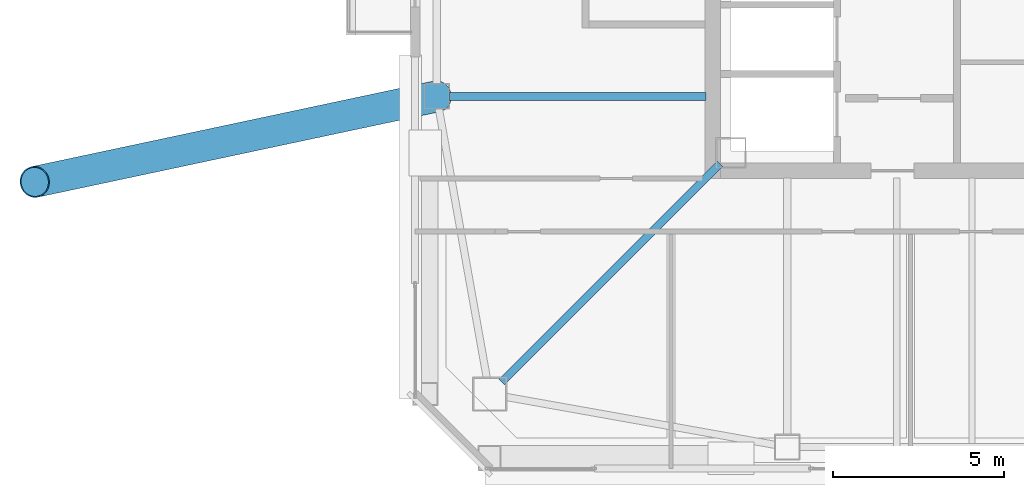
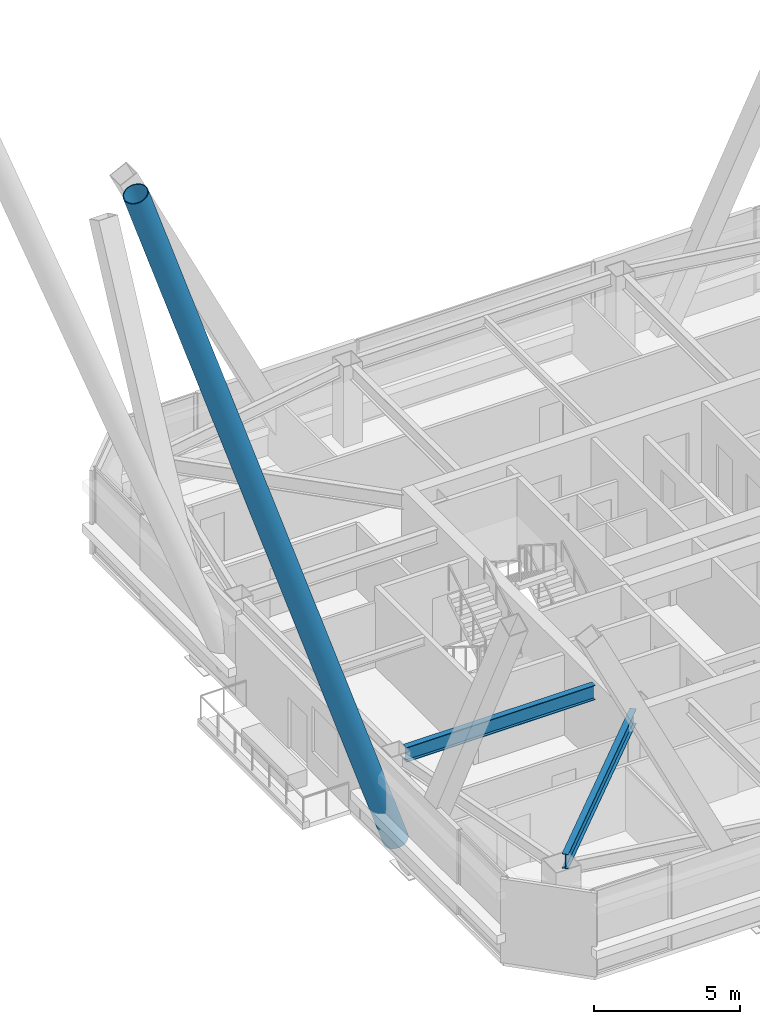
# One storey, part 8 of 56: 2 beams, 1 member.
"""IFC4 building model written with IfcOpenShell, lengths in metres."""

from ifc_helpers import new_model, si_unit, direction, frame, origin, origin_2d, place, context, subcontext, project, spatial, hollow_circle, i_section, extrude, material, material_profile, profile_set, type_object, element, save


model = new_model("IFC4")

# Units and contexts
model_context = context("Model", 3, precision=1e-05, world=origin(), true_north=direction((0.0, 1.0)))
body_context = subcontext(model_context, "Body", "Model", "MODEL_VIEW")
ifc_project = project(units=[si_unit("LENGTHUNIT", "METRE"), si_unit("AREAUNIT", "SQUARE_METRE"), si_unit("VOLUMEUNIT", "CUBIC_METRE"), si_unit("PLANEANGLEUNIT", "RADIAN"), si_unit("MASSUNIT", "GRAM", prefix="KILO")], contexts=[model_context])

# Site, building, storey
site_placement = place(None, origin())
site = spatial("IfcSite", under=ifc_project, at=site_placement, CompositionType="ELEMENT")
building_placement = place(site_placement, origin())
building = spatial("IfcBuilding", under=site, at=building_placement, Name="Tashvorn Skyway Center", CompositionType="ELEMENT")
storey_placement = place(building_placement, frame((0.0, 0.0, 218.39990234375)))
storey = spatial("IfcBuildingStorey", under=building, at=storey_placement, Name="L59", CompositionType="ELEMENT", Elevation=218.39990234375)

# Beams
ifc_material_1 = material(Name="Steel ASTM A992 Grade 50", Category="steel")
ifc_material_profile_1 = material_profile(ifc_material_1, i_section(OverallWidth=0.22998046875, OverallDepth=0.616943359375, WebThickness=0.01318359375, FlangeThickness=0.022216796875, at=origin_2d()), Name="W24X94")
ifc_profile_set_1 = profile_set([ifc_material_profile_1], Name="Steel ASTM A992 Grade 50")
beam_type = type_object("IfcBeamType", Name="BM-BEAM-W24X94", PredefinedType="BEAM", material=ifc_profile_set_1)
beam_1_placement = place(storey_placement, frame((28.25, 18.25, 3.0615234375), z_axis=(0.707106781187, 0.707106781187, 0.0), x_axis=(-0.707106781187, 0.707106781187, 0.0)))
element("IfcBeam", 1, at=beam_1_placement, inside=storey, type_object=beam_type, Name="Tower 1 L59 Primary Floor Girder MC-SW", PredefinedType="BEAM", context=body_context, shape_type="SweptSolid", body=[
    extrude(i_section(OverallWidth=0.22998046875, OverallDepth=0.616943359375, WebThickness=0.01318359375, FlangeThickness=0.022216796875, at=origin_2d()), origin(), (0.0, 0.0, 1.0), 9.030029296875),
])
beam_2_placement = place(storey_placement, frame((26.719970703125, 26.60009765625, 3.0615234375), z_axis=(1.0, 0.0, 0.0), x_axis=(0.0, 1.0, 0.0)))
element("IfcBeam", 2, at=beam_2_placement, inside=storey, type_object=beam_type, Name="Tower 1 L59 Primary Floor Girder FC-W2", PredefinedType="BEAM", context=body_context, shape_type="SweptSolid", body=[
    extrude(i_section(OverallWidth=0.22998046875, OverallDepth=0.616943359375, WebThickness=0.01318359375, FlangeThickness=0.022216796875, at=origin_2d()), origin(), (0.0, 0.0, 1.0), 7.5),
])

# Member
ifc_material_2 = material(Name="Steel ASTM A572 Grade 50", Category="steel")
ifc_material_profile_2 = material_profile(ifc_material_2, hollow_circle(Radius=0.45703125, WallThickness=0.031982421875, at=origin_2d()), Name="CHS914x32")
ifc_profile_set_2 = profile_set([ifc_material_profile_2], Name="Steel ASTM A572 Grade 50")
member_type = type_object("IfcMemberType", Name="MEM-MS-914", PredefinedType="STRUT", material=ifc_profile_set_2)
member_placement = place(storey_placement, frame((26.35009765625, 26.60009765625, -0.3798828125), z_axis=(-0.337700631611, -0.071851198215, 0.938507159655), x_axis=(0.208107644465, -0.978105928985, 0.0)))
element("IfcMember", 3, at=member_placement, inside=storey, type_object=member_type, Name="Sky-Park West Cantilever Mega-Strut 1", PredefinedType="STRUT", context=body_context, shape_type="SweptSolid", body=[
    extrude(hollow_circle(Radius=0.45703125, WallThickness=0.031982421875, at=origin_2d()), origin(), (0.0, 0.0, 1.0), 34.794189453125),
])

save(model, "model.ifc")
